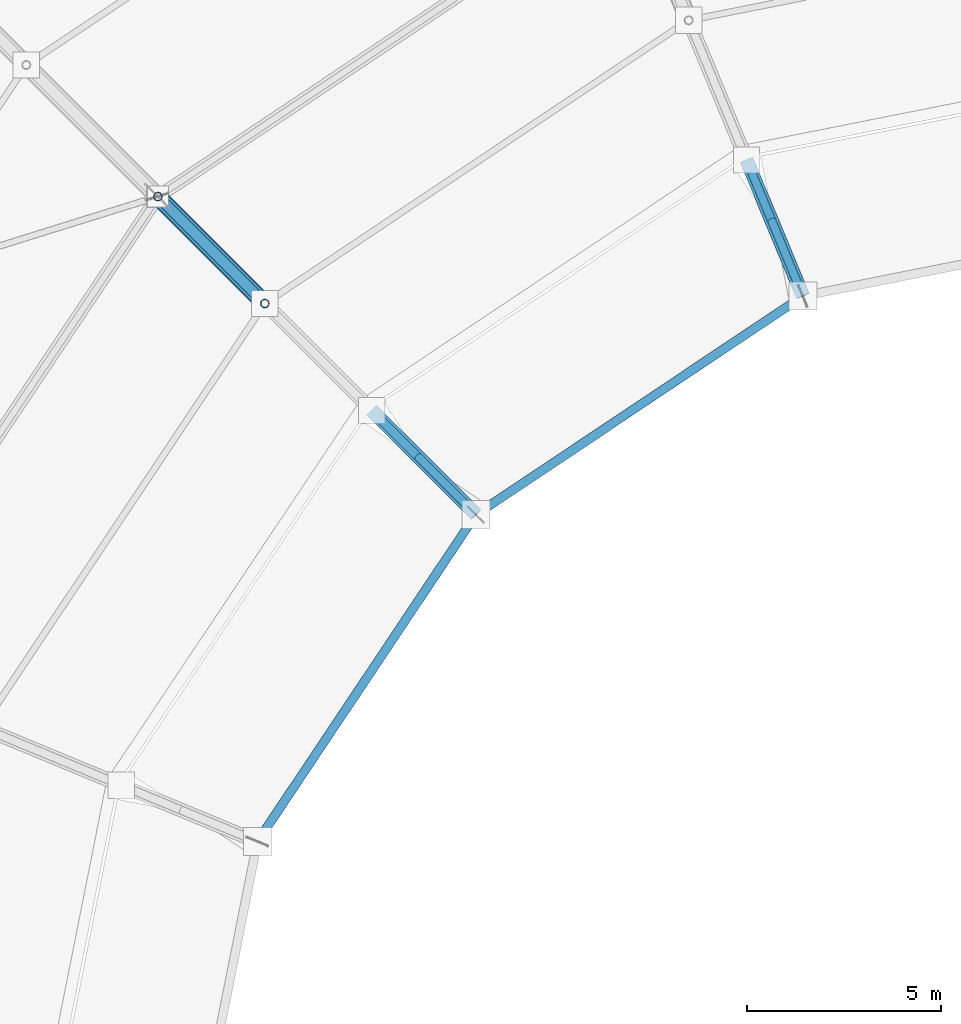
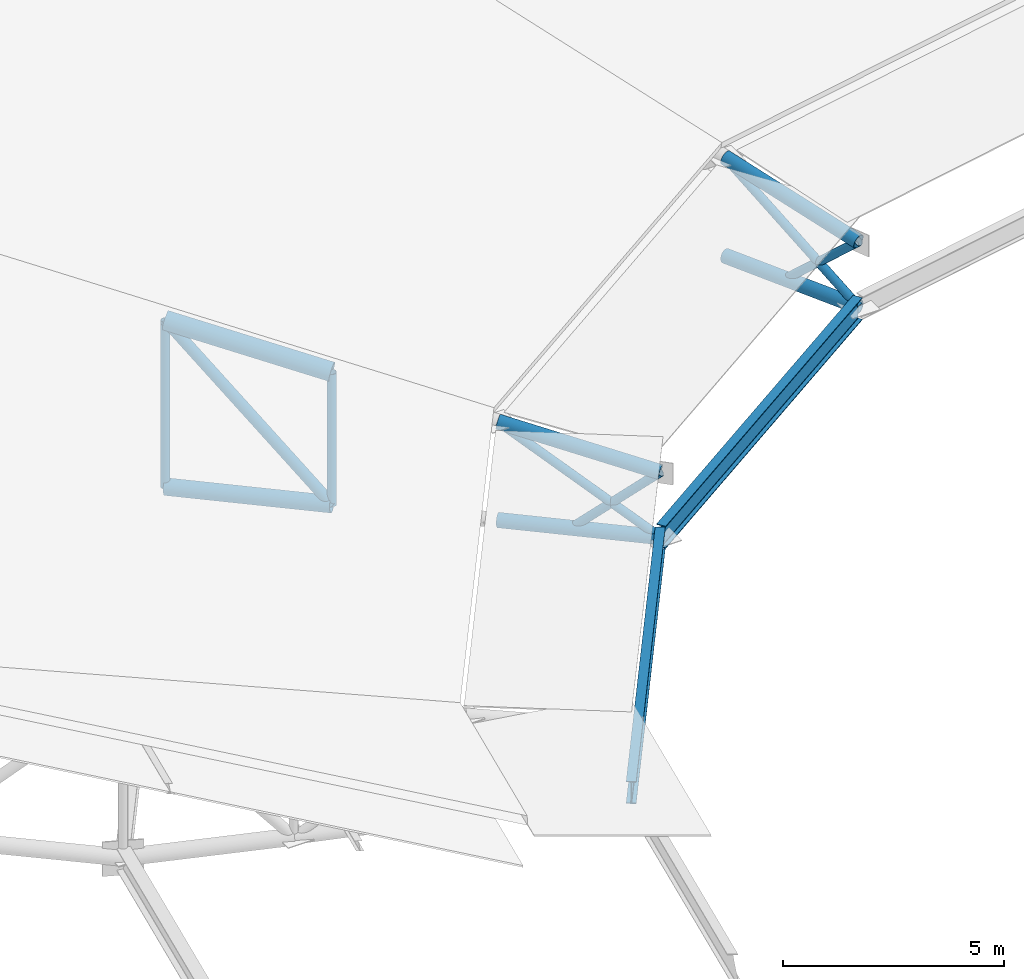
# One storey, part 49 of 146: 13 members, 2 beams.
"""IFC4 building model written with IfcOpenShell, lengths in metres."""

from ifc_helpers import new_model, si_unit, direction, frame, origin, origin_2d, place, context, subcontext, project, spatial, hollow_circle, i_section, extrude, material, material_profile, profile_set, type_object, element, save


model = new_model("IFC4")

# Units and contexts
model_context = context("Model", 3, precision=1e-05, world=origin(), true_north=direction((0.0, 1.0)))
body_context = subcontext(model_context, "Body", "Model", "MODEL_VIEW")
ifc_project = project(units=[si_unit("LENGTHUNIT", "METRE"), si_unit("AREAUNIT", "SQUARE_METRE"), si_unit("VOLUMEUNIT", "CUBIC_METRE"), si_unit("PLANEANGLEUNIT", "RADIAN"), si_unit("MASSUNIT", "GRAM", prefix="KILO")], contexts=[model_context])

# Site, building, storey
site_placement = place(None, origin())
site = spatial("IfcSite", under=ifc_project, at=site_placement, CompositionType="ELEMENT")
building_placement = place(site_placement, origin())
building = spatial("IfcBuilding", under=site, at=building_placement, Name="Candeia Ridge Stadium", CompositionType="ELEMENT")
storey_placement = place(building_placement, frame((0.0, 0.0, 31.800048828125)))
storey = spatial("IfcBuildingStorey", under=building, at=storey_placement, Name="RF", CompositionType="ELEMENT", Elevation=31.800048828125)

# Beams
ifc_material = material(Name="Steel ASTM A572 Grade 50", Category="steel")
ifc_material_profile_1 = material_profile(ifc_material, i_section(OverallWidth=0.22998046875, OverallDepth=0.616943359375, WebThickness=0.01318359375, FlangeThickness=0.022216796875, FilletRadius=0.014892578125, at=origin_2d()), Name="W610x140", Category="steel")
ifc_profile_set_1 = profile_set([ifc_material_profile_1], Name="Steel ASTM A572 Grade 50")
beam_type = type_object("IfcBeamType", Name="Roof Inner Tension Ring Beam W610x140", PredefinedType="BEAM", material=ifc_profile_set_1)
for number, where, z_axis, x_axis, name in (
    (1, (61.01708984375, 118.99853515625, -1.9599609375), (-0.831478882847, -0.555556358418, 0.0), (0.555556358418, -0.831478882847, 0.0), "Roof inner tension ring beam bay 09"),
    (2, (52.593017578125, 113.3515625, -1.9599609375), (-0.555556358418, -0.831478882847, 0.0), (0.831478882847, -0.555556358418, 0.0), "Roof inner tension ring beam bay 10"),
):
    element("IfcBeam", number, at=place(storey_placement, frame(where, z_axis=z_axis, x_axis=x_axis)), inside=storey, type_object=beam_type, Name=name, PredefinedType="BEAM", context=body_context, shape_type="SweptSolid", body=[
        extrude(i_section(OverallWidth=0.22998046875, OverallDepth=0.616943359375, WebThickness=0.01318359375, FlangeThickness=0.022216796875, FilletRadius=0.014892578125, at=origin_2d()), origin(), (0.0, 0.0, 1.0), 10.064697265625),
    ])

# Members
ifc_material_profile_2 = material_profile(ifc_material, hollow_circle(Radius=0.136474609375, WallThickness=0.010009765625, at=origin_2d()), Name="CHS273x10", Category="steel")
ifc_profile_set_2 = profile_set([ifc_material_profile_2], Name="Steel ASTM A572 Grade 50")
member_type_1 = type_object("IfcMemberType", Name="Roof Truss Heavy Web Brace CHS273x10", PredefinedType="BRACE", material=ifc_profile_set_2)
member_1_placement = place(storey_placement, frame((47.17041015625, 118.82958984375, -2.444091796875), z_axis=(-0.470203340341, 0.470203340341, 0.746871901643), x_axis=(-0.707106781187, -0.707106781187, 0.0)))
element("IfcMember", 3, at=member_1_placement, inside=storey, type_object=member_type_1, Name="Roof cantilever truss RT-10 diagonal web 3", PredefinedType="BRACE", context=body_context, shape_type="SweptSolid", body=[
    extrude(hollow_circle(Radius=0.136474609375, WallThickness=0.010009765625, at=origin_2d()), origin(), (0.0, 0.0, 1.0), 5.86474609375),
])
ifc_material_profile_3 = material_profile(ifc_material, hollow_circle(Radius=0.109619140625, WallThickness=0.010009765625, at=origin_2d()), Name="CHS219x10", Category="steel")
ifc_profile_set_3 = profile_set([ifc_material_profile_3], Name="Steel ASTM A572 Grade 50")
member_type_2 = type_object("IfcMemberType", Name="Roof Truss Inner Web Brace CHS219x10", PredefinedType="BRACE", material=ifc_profile_set_3)
member_2_placement = place(storey_placement, frame((61.05029296875, 119.020751953125, -1.9599609375), z_axis=(-0.319616432528, 0.771543444646, 0.550060041343), x_axis=(-0.923865699332, -0.382716826907, 0.0)))
element("IfcMember", 4, at=member_2_placement, inside=storey, type_object=member_type_2, Name="Roof cantilever truss RT-09 diagonal web 1", PredefinedType="BRACE", context=body_context, shape_type="SweptSolid", body=[
    extrude(hollow_circle(Radius=0.109619140625, WallThickness=0.010009765625, at=origin_2d()), origin(), (0.0, 0.0, 1.0), 4.55029296875),
])
member_3_placement = place(storey_placement, frame((60.25048828125, 120.951904296875, -2.077880859375), z_axis=(0.281951829017, -0.680781125618, 0.676047502115), x_axis=(0.923897258763, 0.382640634603, 0.0)))
element("IfcMember", 5, at=member_3_placement, inside=storey, type_object=member_type_2, Name="Roof cantilever truss RT-09 vertical post 0", PredefinedType="BRACE", context=body_context, shape_type="SweptSolid", body=[
    extrude(hollow_circle(Radius=0.109619140625, WallThickness=0.010009765625, at=origin_2d()), origin(), (0.0, 0.0, 1.0), 2.836669921875),
])
member_4_placement = place(storey_placement, frame((52.615234375, 113.384765625, -1.9599609375), z_axis=(-0.590520351297, 0.590520351297, 0.550064931992), x_axis=(-0.707106781187, -0.707106781187, 0.0)))
element("IfcMember", 6, at=member_4_placement, inside=storey, type_object=member_type_2, Name="Roof cantilever truss RT-10 diagonal web 1", PredefinedType="BRACE", context=body_context, shape_type="SweptSolid", body=[
    extrude(hollow_circle(Radius=0.109619140625, WallThickness=0.010009765625, at=origin_2d()), origin(), (0.0, 0.0, 1.0), 4.55029296875),
])
member_5_placement = place(storey_placement, frame((51.137451171875, 114.862548828125, -2.077880859375), z_axis=(0.521000505983, -0.521000505983, 0.676104241615), x_axis=(0.707106781187, 0.707106781187, 0.0)))
element("IfcMember", 7, at=member_5_placement, inside=storey, type_object=member_type_2, Name="Roof cantilever truss RT-10 vertical post 0", PredefinedType="BRACE", context=body_context, shape_type="SweptSolid", body=[
    extrude(hollow_circle(Radius=0.109619140625, WallThickness=0.010009765625, at=origin_2d()), origin(), (0.0, 0.0, 1.0), 2.83642578125),
])
member_6_placement = place(storey_placement, frame((47.17041015625, 118.82958984375, -2.444091796875), z_axis=(0.0, 0.0, 1.0), x_axis=(1.0, 0.0, 0.0)))
element("IfcMember", 8, at=member_6_placement, inside=storey, type_object=member_type_2, Name="Roof cantilever truss RT-10 vertical post 2", PredefinedType="BRACE", context=body_context, shape_type="SweptSolid", body=[
    extrude(hollow_circle(Radius=0.109619140625, WallThickness=0.010009765625, at=origin_2d()), origin(), (0.0, 0.0, 1.0), 3.658447265625),
])
member_7_placement = place(storey_placement, frame((44.412841796875, 121.587158203125, -2.6640625), z_axis=(0.0, 0.0, 1.0), x_axis=(1.0, 0.0, 0.0)))
element("IfcMember", 9, at=member_7_placement, inside=storey, type_object=member_type_2, Name="Roof cantilever truss RT-10 vertical post 3", PredefinedType="BRACE", context=body_context, shape_type="SweptSolid", body=[
    extrude(hollow_circle(Radius=0.109619140625, WallThickness=0.010009765625, at=origin_2d()), origin(), (0.0, 0.0, 1.0), 4.60009765625),
])
ifc_material_profile_4 = material_profile(ifc_material, hollow_circle(Radius=0.228515625, WallThickness=0.02001953125, at=origin_2d()), Name="CHS457x20", Category="steel")
ifc_profile_set_4 = profile_set([ifc_material_profile_4], Name="Steel ASTM A572 Grade 50")
member_type_3 = type_object("IfcMemberType", Name="Roof Truss Main Chord CHS457x20", PredefinedType="CHORD", material=ifc_profile_set_4)
member_8_placement = place(storey_placement, frame((47.17041015625, 118.82958984375, 1.21435546875), z_axis=(-0.695301449045, 0.695301449045, 0.181966452712), x_axis=(-0.707106781187, -0.707106781187, 0.0)))
element("IfcMember", 10, at=member_8_placement, inside=storey, type_object=member_type_3, Name="Roof cantilever truss RT-10 top chord 3", PredefinedType="CHORD", context=body_context, shape_type="SweptSolid", body=[
    extrude(hollow_circle(Radius=0.228515625, WallThickness=0.02001953125, at=origin_2d()), origin(), (0.0, 0.0, 1.0), 3.966064453125),
])
ifc_material_profile_5 = material_profile(ifc_material, hollow_circle(Radius=0.202880859375, WallThickness=0.01611328125, at=origin_2d()), Name="CHS406x16", Category="steel")
ifc_profile_set_5 = profile_set([ifc_material_profile_5], Name="Steel ASTM A572 Grade 50")
member_type_4 = type_object("IfcMemberType", Name="Roof Truss Outer Chord CHS406x16", PredefinedType="CHORD", material=ifc_profile_set_5)
member_9_placement = place(storey_placement, frame((47.17041015625, 118.82958984375, -2.444091796875), z_axis=(-0.705984588812, 0.705984588812, -0.056316256266), x_axis=(-0.707106781187, -0.707106781187, 0.0)))
element("IfcMember", 11, at=member_9_placement, inside=storey, type_object=member_type_4, Name="Roof cantilever truss RT-10 bottom chord 3", PredefinedType="CHORD", context=body_context, shape_type="SweptSolid", body=[
    extrude(hollow_circle(Radius=0.202880859375, WallThickness=0.01611328125, at=origin_2d()), origin(), (0.0, 0.0, 1.0), 3.906005859375),
])
ifc_material_profile_6 = material_profile(ifc_material, hollow_circle(Radius=0.177734375, WallThickness=0.01416015625, at=origin_2d()), Name="CHS355x14", Category="steel")
ifc_profile_set_6 = profile_set([ifc_material_profile_6], Name="Steel ASTM A572 Grade 50")
member_type_5 = type_object("IfcMemberType", Name="Roof Truss Tip Chord CHS355x14", PredefinedType="CHORD", material=ifc_profile_set_6)
member_10_placement = place(storey_placement, frame((61.05029296875, 119.020751953125, -0.16015625), z_axis=(-0.376329012529, 0.908445727744, 0.181941842552), x_axis=(-0.923865699332, -0.382716826907, 0.0)))
element("IfcMember", 12, at=member_10_placement, inside=storey, type_object=member_type_5, Name="Roof cantilever truss RT-09 top chord 1", PredefinedType="CHORD", context=body_context, shape_type="SweptSolid", body=[
    extrude(hollow_circle(Radius=0.177734375, WallThickness=0.01416015625, at=origin_2d()), origin(), (0.0, 0.0, 1.0), 3.864501953125),
])
member_11_placement = place(storey_placement, frame((61.05029296875, 119.020751953125, -1.9599609375), z_axis=(-0.382109389407, 0.922399365398, -0.056318959862), x_axis=(-0.923865699332, -0.382716826907, 0.0)))
element("IfcMember", 13, at=member_11_placement, inside=storey, type_object=member_type_5, Name="Roof cantilever truss RT-09 bottom chord 1", PredefinedType="CHORD", context=body_context, shape_type="SweptSolid", body=[
    extrude(hollow_circle(Radius=0.177734375, WallThickness=0.01416015625, at=origin_2d()), origin(), (0.0, 0.0, 1.0), 3.80615234375),
])
member_12_placement = place(storey_placement, frame((52.615234375, 113.384765625, -0.16015625), z_axis=(-0.69530437574, 0.69530437574, 0.181944085238), x_axis=(-0.707106781187, -0.707106781187, 0.0)))
element("IfcMember", 14, at=member_12_placement, inside=storey, type_object=member_type_5, Name="Roof cantilever truss RT-10 top chord 1", PredefinedType="CHORD", context=body_context, shape_type="SweptSolid", body=[
    extrude(hollow_circle(Radius=0.177734375, WallThickness=0.01416015625, at=origin_2d()), origin(), (0.0, 0.0, 1.0), 3.864501953125),
])
member_13_placement = place(storey_placement, frame((52.615234375, 113.384765625, -1.9599609375), z_axis=(-0.70598445243, 0.70598445243, -0.056319675562), x_axis=(-0.707106781187, -0.707106781187, 0.0)))
element("IfcMember", 15, at=member_13_placement, inside=storey, type_object=member_type_5, Name="Roof cantilever truss RT-10 bottom chord 1", PredefinedType="CHORD", context=body_context, shape_type="SweptSolid", body=[
    extrude(hollow_circle(Radius=0.177734375, WallThickness=0.01416015625, at=origin_2d()), origin(), (0.0, 0.0, 1.0), 3.80615234375),
])

save(model, "model.ifc")
